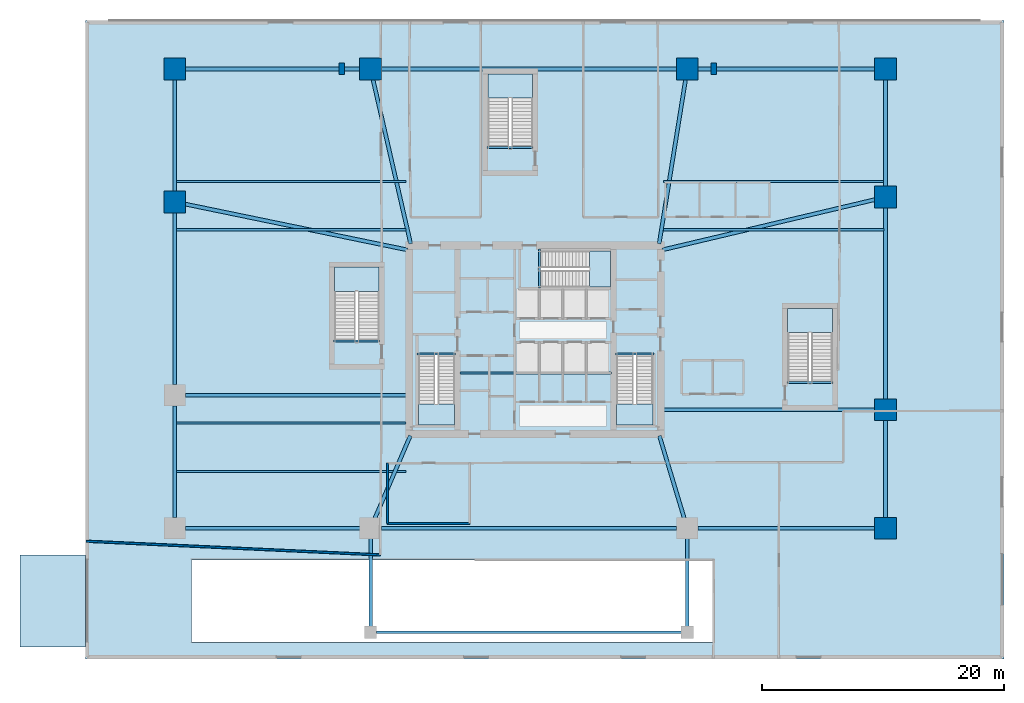
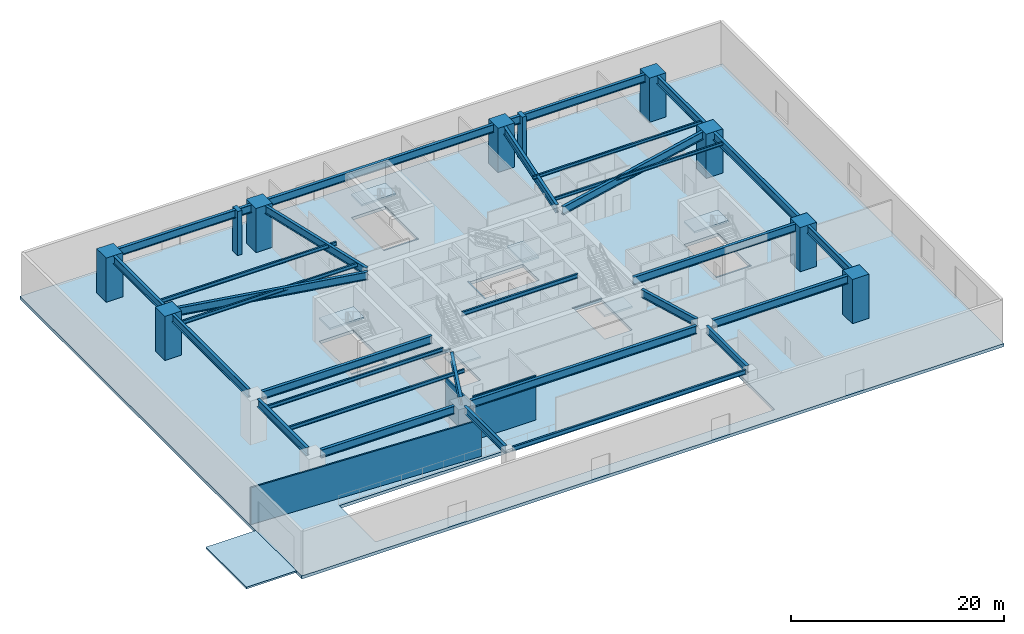
# One storey, part 3 of 13: 36 beams, 10 columns, 8 slabs, 3 walls, 6 elements without a shape of their own.
"""IFC4 building model written with IfcOpenShell, lengths in metres."""

from ifc_helpers import new_model, si_unit, direction, frame, frame_2d, origin, origin_2d, place, context, subcontext, project, spatial, polyline, rectangle, i_section, outline, extrude, material, layer, layer_set, material_profile, profile_set, type_object, element, aggregate, save


model = new_model("IFC4")

# Units and contexts
model_context = context("Model", 3, precision=1e-05, world=origin(), true_north=direction((0.0, 1.0)))
body_context = subcontext(model_context, "Body", "Model", "MODEL_VIEW")
ifc_project = project(units=[si_unit("LENGTHUNIT", "METRE"), si_unit("AREAUNIT", "SQUARE_METRE"), si_unit("VOLUMEUNIT", "CUBIC_METRE"), si_unit("PLANEANGLEUNIT", "RADIAN"), si_unit("MASSUNIT", "GRAM", prefix="KILO")], contexts=[model_context])

# Site, building, storey
site_placement = place(None, origin())
site = spatial("IfcSite", under=ifc_project, at=site_placement, CompositionType="ELEMENT")
building_placement = place(site_placement, origin())
building = spatial("IfcBuilding", under=site, at=building_placement, Name="Qarnah Convention Tower", CompositionType="ELEMENT")
storey_placement = place(building_placement, origin())
storey = spatial("IfcBuildingStorey", under=building, at=storey_placement, Name="L00", CompositionType="ELEMENT", Elevation=0.0)

# Columns
ifc_material_1 = material(Name="Concrete C60/75", Category="concrete")
ifc_material_profile_1 = material_profile(ifc_material_1, rectangle(XDim=1.800048828125, YDim=1.800048828125, at=origin_2d()), Name="RC-COL-1800X1800")
ifc_profile_set_1 = profile_set([ifc_material_profile_1], Name="Concrete C60/75")
column_type_1 = type_object("IfcColumnType", Name="COL-MC1800", PredefinedType="COLUMN", material=ifc_profile_set_1)
for number, where, z_axis, x_axis, name in (
    (1, (66.199951171875, 10.800048828125, 0.0), (0.0, 0.0, 1.0), (1.0, 0.0, 0.0), "L00 plumb column MC-04"),
    (2, (66.199951171875, 20.60009765625, 0.0), (0.0, 0.0, 1.0), (1.0, 0.0, 0.0), "L00 plumb column MC-05"),
    (3, (66.199951171875, 38.199951171875, 0.0), (0.0, 0.0, 1.0), (1.0, 0.0, 0.0), "L00 plumb column MC-06"),
    (4, (66.199951171875, 48.800048828125, 0.0), (0.0, 0.0, 1.0), (1.0, 0.0, 0.0), "L00 plumb column MC-07"),
    (5, (49.800048828125, 48.800048828125, 0.0), (0.0, 0.0, 1.0), (1.0, 0.0, 0.0), "L00 plumb column MC-08"),
    (6, (23.60009765625, 48.800048828125, 0.0), (0.0, 0.0, 1.0), (1.0, 0.0, 0.0), "L00 plumb column MC-09"),
    (7, (7.39990234375, 48.800048828125, 0.0), (0.0, 0.0, 1.0), (1.0, 0.0, 0.0), "L00 plumb column MC-10"),
    (8, (7.39990234375, 37.800048828125, 0.0), (0.0, 0.0, 1.0), (1.0, 0.0, 0.0), "L00 plumb column MC-11"),
):
    element("IfcColumn", number, at=place(storey_placement, frame(where, z_axis=z_axis, x_axis=x_axis)), inside=storey, type_object=column_type_1, Name=name, PredefinedType="COLUMN", context=body_context, shape_type="SweptSolid", body=[
        extrude(rectangle(XDim=1.800048828125, YDim=1.800048828125, at=origin_2d()), origin(), (0.0, 0.0, 1.0), 5.050048828125),
    ])
ifc_material_2 = material(Name="Precast concrete C45/55", Category="concrete")
ifc_material_profile_2 = material_profile(ifc_material_2, rectangle(XDim=0.449951171875, YDim=0.949951171875, at=origin_2d()), Name="PC-RIB-450X950")
ifc_profile_set_2 = profile_set([ifc_material_profile_2], Name="Precast concrete C45/55")
column_type_2 = type_object("IfcColumnType", Name="PIL-POD-450", PredefinedType="PILASTER", material=ifc_profile_set_2)
for number, where, z_axis, x_axis, name in (
    (9, (21.199951171875, 48.800048828125, 0.0), (0.0, 0.0, 1.0), (1.0, 0.0, 0.0), "L00 structural concrete pilaster 1"),
    (10, (52.0, 48.800048828125, 0.0), (0.0, 0.0, 1.0), (1.0, 0.0, 0.0), "L00 structural concrete pilaster 2"),
):
    element("IfcColumn", number, at=place(storey_placement, frame(where, z_axis=z_axis, x_axis=x_axis)), inside=storey, type_object=column_type_2, Name=name, PredefinedType="PILASTER", context=body_context, shape_type="SweptSolid", body=[
        extrude(rectangle(XDim=0.449951171875, YDim=0.949951171875, at=origin_2d()), origin(), (0.0, 0.0, 1.0), 5.050048828125),
    ])

# Beams
ifc_material_3 = material(Name="Structural steel S355JR", Category="steel")
ifc_material_profile_3 = material_profile(ifc_material_3, i_section(OverallWidth=0.19189453125, OverallDepth=0.464111328125, WebThickness=0.010986328125, FlangeThickness=0.01806640625, at=origin_2d()), Name="W460X89")
ifc_profile_set_3 = profile_set([ifc_material_profile_3], Name="Structural steel S355JR")
beam_type_1 = type_object("IfcBeamType", Name="BM-CANT-W460A", PredefinedType="BEAM", material=ifc_profile_set_3)
beam_1_placement = place(storey_placement, frame((30.97998046875, 23.64990234375, 4.818115234375), z_axis=(1.0, 0.0, 0.0), x_axis=(0.0, 1.0, 0.0)))
element("IfcBeam", 11, at=beam_1_placement, inside=storey, type_object=beam_type_1, Name="L00 beam BM-L00-KC1", PredefinedType="BEAM", context=body_context, shape_type="SweptSolid", body=[
    extrude(i_section(OverallWidth=0.19189453125, OverallDepth=0.464111328125, WebThickness=0.010986328125, FlangeThickness=0.01806640625, at=origin_2d()), origin(), (0.0, 0.0, 1.0), 12.5400390625),
])
ifc_material_profile_4 = material_profile(ifc_material_3, i_section(OverallWidth=0.166015625, OverallDepth=0.31201171875, WebThickness=0.007080078125, FlangeThickness=0.010986328125, at=origin_2d()), Name="W310X45")
ifc_profile_set_4 = profile_set([ifc_material_profile_4], Name="Structural steel S355JR")
beam_type_2 = type_object("IfcBeamType", Name="BM-JST-W310", PredefinedType="JOIST", material=ifc_profile_set_4)
for number, where, z_axis, x_axis, name in (
    (12, (27.4599609375, 25.217041015625, -0.156005859375), (1.0, 0.0, 0.0), (0.0, 1.0, 0.0), "L00 stair landing trimmer beam BM-L00-ST1-TRM"),
    (13, (43.860107421875, 25.217041015625, -0.156005859375), (1.0, 0.0, 0.0), (0.0, 1.0, 0.0), "L00 stair landing trimmer beam BM-L00-ST2-TRM"),
):
    element("IfcBeam", number, at=place(storey_placement, frame(where, z_axis=z_axis, x_axis=x_axis)), inside=storey, type_object=beam_type_2, Name=name, PredefinedType="BEAM", context=body_context, shape_type="SweptSolid", body=[
        extrude(i_section(OverallWidth=0.166015625, OverallDepth=0.31201171875, WebThickness=0.007080078125, FlangeThickness=0.010986328125, at=origin_2d()), origin(), (0.0, 0.0, 1.0), 3.179931640625),
    ])
beam_2_placement = place(storey_placement, frame((37.5830078125, 30.659912109375, -0.156005859375), z_axis=(0.0, 1.0, 0.0), x_axis=(-1.0, 0.0, 0.0)))
element("IfcBeam", 14, at=beam_2_placement, inside=storey, type_object=beam_type_2, Name="L00 stair landing trimmer beam BM-L00-ST3-TRM", PredefinedType="BEAM", context=body_context, shape_type="SweptSolid", body=[
    extrude(i_section(OverallWidth=0.166015625, OverallDepth=0.31201171875, WebThickness=0.007080078125, FlangeThickness=0.010986328125, at=origin_2d()), origin(), (0.0, 0.0, 1.0), 3.239990234375),
])
for number, where, z_axis, x_axis, name in (
    (15, (58.050048828125, 22.883056640625, -0.156005859375), (1.0, 0.0, 0.0), (0.0, 1.0, 0.0), "L00 podium stair trimmer beam BM-L00-ST4-TRM"),
    (16, (20.550048828125, 26.282958984375, -0.156005859375), (1.0, 0.0, 0.0), (0.0, 1.0, 0.0), "L00 podium stair trimmer beam BM-L00-ST5-TRM"),
    (17, (33.25, 42.282958984375, -0.156005859375), (1.0, 0.0, 0.0), (0.0, 1.0, 0.0), "L00 podium stair trimmer beam BM-L00-ST6-TRM"),
):
    element("IfcBeam", number, at=place(storey_placement, frame(where, z_axis=z_axis, x_axis=x_axis)), inside=storey, type_object=beam_type_2, Name=name, PredefinedType="BEAM", context=body_context, shape_type="SweptSolid", body=[
        extrude(i_section(OverallWidth=0.166015625, OverallDepth=0.31201171875, WebThickness=0.007080078125, FlangeThickness=0.010986328125, at=origin_2d()), origin(), (0.0, 0.0, 1.0), 3.800048828125),
    ])
ifc_material_profile_5 = material_profile(ifc_material_3, i_section(OverallWidth=0.172119140625, OverallDepth=0.35595703125, WebThickness=0.007080078125, FlangeThickness=0.011962890625, at=origin_2d()), Name="W360X51")
ifc_profile_set_5 = profile_set([ifc_material_profile_5], Name="Structural steel S355JR")
beam_type_3 = type_object("IfcBeamType", Name="BM-JST-W360", PredefinedType="JOIST", material=ifc_profile_set_5)
for number, where, z_axis, x_axis, name in (
    (18, (47.85009765625, 35.5, 4.8720703125), (1.0, 0.0, 0.0), (0.0, 1.0, 0.0), "L00 joist BM-L00-JSTE-03"),
    (19, (47.85009765625, 39.5, 4.8720703125), (1.0, 0.0, 0.0), (0.0, 1.0, 0.0), "L00 joist BM-L00-JSTE-04"),
):
    element("IfcBeam", number, at=place(storey_placement, frame(where, z_axis=z_axis, x_axis=x_axis)), inside=storey, type_object=beam_type_3, Name=name, PredefinedType="JOIST", context=body_context, shape_type="SweptSolid", body=[
        extrude(i_section(OverallWidth=0.172119140625, OverallDepth=0.35595703125, WebThickness=0.007080078125, FlangeThickness=0.011962890625, at=origin_2d()), origin(), (0.0, 0.0, 1.0), 18.2099609375),
    ])
ifc_material_profile_6 = material_profile(ifc_material_3, i_section(OverallWidth=0.177978515625, OverallDepth=0.407958984375, WebThickness=0.008056640625, FlangeThickness=0.012939453125, at=origin_2d()), Name="W410X60")
ifc_profile_set_6 = profile_set([ifc_material_profile_6], Name="Structural steel S355JR")
beam_type_4 = type_object("IfcBeamType", Name="BM-JST-W410", PredefinedType="JOIST", material=ifc_profile_set_6)
for number, where, z_axis, x_axis, name in (
    (20, (7.5400390625, 15.5, 4.845947265625), (1.0, 0.0, 0.0), (0.0, 1.0, 0.0), "L00 joist BM-L00-JSTW-01"),
    (21, (7.5400390625, 19.5, 4.845947265625), (1.0, 0.0, 0.0), (0.0, 1.0, 0.0), "L00 joist BM-L00-JSTW-02"),
    (22, (7.5400390625, 35.5, 4.845947265625), (1.0, 0.0, 0.0), (0.0, 1.0, 0.0), "L00 joist BM-L00-JSTW-03"),
    (23, (7.5400390625, 39.5, 4.845947265625), (1.0, 0.0, 0.0), (0.0, 1.0, 0.0), "L00 joist BM-L00-JSTW-04"),
):
    element("IfcBeam", number, at=place(storey_placement, frame(where, z_axis=z_axis, x_axis=x_axis)), inside=storey, type_object=beam_type_4, Name=name, PredefinedType="JOIST", context=body_context, shape_type="SweptSolid", body=[
        extrude(i_section(OverallWidth=0.177978515625, OverallDepth=0.407958984375, WebThickness=0.008056640625, FlangeThickness=0.012939453125, at=origin_2d()), origin(), (0.0, 0.0, 1.0), 19.010009765625),
    ])
ifc_material_profile_7 = material_profile(ifc_material_3, i_section(OverallWidth=0.2900390625, OverallDepth=0.83203125, WebThickness=0.014892578125, FlangeThickness=0.02001953125, at=origin_2d()), Name="W840X193")
ifc_profile_set_7 = profile_set([ifc_material_profile_7], Name="Structural steel S355JR")
beam_type_5 = type_object("IfcBeamType", Name="BM-POD-W840B", PredefinedType="BEAM", material=ifc_profile_set_7)
for number, where, z_axis, x_axis, name in (
    (24, (23.60009765625, 2.64990234375, 4.634033203125), (0.0, 1.0, 0.0), (-1.0, 0.0, 0.0), "L00 beam BM-L00-TSUP-01"),
    (25, (49.800048828125, 2.64990234375, 4.634033203125), (0.0, 1.0, 0.0), (-1.0, 0.0, 0.0), "L00 beam BM-L00-TSUP-02"),
):
    element("IfcBeam", number, at=place(storey_placement, frame(where, z_axis=z_axis, x_axis=x_axis)), inside=storey, type_object=beam_type_5, Name=name, PredefinedType="BEAM", context=body_context, shape_type="SweptSolid", body=[
        extrude(i_section(OverallWidth=0.2900390625, OverallDepth=0.83203125, WebThickness=0.014892578125, FlangeThickness=0.02001953125, at=origin_2d()), origin(), (0.0, 0.0, 1.0), 7.60009765625),
    ])
ifc_material_profile_8 = material_profile(ifc_material_3, i_section(OverallWidth=0.31005859375, OverallDepth=0.912109375, WebThickness=0.02099609375, FlangeThickness=0.031982421875, at=origin_2d()), Name="W920X342")
ifc_profile_set_8 = profile_set([ifc_material_profile_8], Name="Structural steel S355JR")
beam_type_6 = type_object("IfcBeamType", Name="BM-POD-W920A", PredefinedType="BEAM", material=ifc_profile_set_8)
beam_3_placement = place(storey_placement, frame((8.2900390625, 10.800048828125, 4.593994140625), z_axis=(1.0, 0.0, 0.0), x_axis=(0.0, 1.0, 0.0)))
element("IfcBeam", 26, at=beam_3_placement, inside=storey, type_object=beam_type_6, Name="L00 spandrel BM-L00-PRG-01", PredefinedType="SPANDREL", context=body_context, shape_type="SweptSolid", body=[
    extrude(i_section(OverallWidth=0.31005859375, OverallDepth=0.912109375, WebThickness=0.02099609375, FlangeThickness=0.031982421875, at=origin_2d()), origin(), (0.0, 0.0, 1.0), 14.419921875),
])
beam_4_placement = place(storey_placement, frame((24.489990234375, 10.800048828125, 4.593994140625), z_axis=(1.0, 0.0, 0.0), x_axis=(0.0, 1.0, 0.0)))
element("IfcBeam", 27, at=beam_4_placement, inside=storey, type_object=beam_type_6, Name="L00 spandrel BM-L00-PRG-02", PredefinedType="SPANDREL", context=body_context, shape_type="SweptSolid", body=[
    extrude(i_section(OverallWidth=0.31005859375, OverallDepth=0.912109375, WebThickness=0.02099609375, FlangeThickness=0.031982421875, at=origin_2d()), origin(), (0.0, 0.0, 1.0), 24.419921875),
])
beam_5_placement = place(storey_placement, frame((50.68994140625, 10.800048828125, 4.593994140625), z_axis=(1.0, 0.0, 0.0), x_axis=(0.0, 1.0, 0.0)))
element("IfcBeam", 28, at=beam_5_placement, inside=storey, type_object=beam_type_6, Name="L00 spandrel BM-L00-PRG-03", PredefinedType="SPANDREL", context=body_context, shape_type="SweptSolid", body=[
    extrude(i_section(OverallWidth=0.31005859375, OverallDepth=0.912109375, WebThickness=0.02099609375, FlangeThickness=0.031982421875, at=origin_2d()), origin(), (0.0, 0.0, 1.0), 14.6201171875),
])
beam_6_placement = place(storey_placement, frame((66.199951171875, 11.68994140625, 4.593994140625), z_axis=(0.0, 1.0, 0.0), x_axis=(-1.0, 0.0, 0.0)))
element("IfcBeam", 29, at=beam_6_placement, inside=storey, type_object=beam_type_6, Name="L00 spandrel BM-L00-PRG-04", PredefinedType="SPANDREL", context=body_context, shape_type="SweptSolid", body=[
    extrude(i_section(OverallWidth=0.31005859375, OverallDepth=0.912109375, WebThickness=0.02099609375, FlangeThickness=0.031982421875, at=origin_2d()), origin(), (0.0, 0.0, 1.0), 8.02001953125),
])
beam_7_placement = place(storey_placement, frame((66.199951171875, 21.489990234375, 4.593994140625), z_axis=(0.0, 1.0, 0.0), x_axis=(-1.0, 0.0, 0.0)))
element("IfcBeam", 30, at=beam_7_placement, inside=storey, type_object=beam_type_6, Name="L00 spandrel BM-L00-PRG-05", PredefinedType="SPANDREL", context=body_context, shape_type="SweptSolid", body=[
    extrude(i_section(OverallWidth=0.31005859375, OverallDepth=0.912109375, WebThickness=0.02099609375, FlangeThickness=0.031982421875, at=origin_2d()), origin(), (0.0, 0.0, 1.0), 15.820068359375),
])
beam_8_placement = place(storey_placement, frame((66.199951171875, 39.090087890625, 4.593994140625), z_axis=(0.0, 1.0, 0.0), x_axis=(-1.0, 0.0, 0.0)))
element("IfcBeam", 31, at=beam_8_placement, inside=storey, type_object=beam_type_6, Name="L00 spandrel BM-L00-PRG-06", PredefinedType="SPANDREL", context=body_context, shape_type="SweptSolid", body=[
    extrude(i_section(OverallWidth=0.31005859375, OverallDepth=0.912109375, WebThickness=0.02099609375, FlangeThickness=0.031982421875, at=origin_2d()), origin(), (0.0, 0.0, 1.0), 8.81982421875),
])
beam_9_placement = place(storey_placement, frame((65.31005859375, 48.800048828125, 4.593994140625), z_axis=(-1.0, 0.0, 0.0), x_axis=(0.0, -1.0, 0.0)))
element("IfcBeam", 32, at=beam_9_placement, inside=storey, type_object=beam_type_6, Name="L00 spandrel BM-L00-PRG-07", PredefinedType="SPANDREL", context=body_context, shape_type="SweptSolid", body=[
    extrude(i_section(OverallWidth=0.31005859375, OverallDepth=0.912109375, WebThickness=0.02099609375, FlangeThickness=0.031982421875, at=origin_2d()), origin(), (0.0, 0.0, 1.0), 14.6201171875),
])
beam_10_placement = place(storey_placement, frame((48.909912109375, 48.800048828125, 4.593994140625), z_axis=(-1.0, 0.0, 0.0), x_axis=(0.0, -1.0, 0.0)))
element("IfcBeam", 33, at=beam_10_placement, inside=storey, type_object=beam_type_6, Name="L00 spandrel BM-L00-PRG-08", PredefinedType="SPANDREL", context=body_context, shape_type="SweptSolid", body=[
    extrude(i_section(OverallWidth=0.31005859375, OverallDepth=0.912109375, WebThickness=0.02099609375, FlangeThickness=0.031982421875, at=origin_2d()), origin(), (0.0, 0.0, 1.0), 24.419921875),
])
beam_11_placement = place(storey_placement, frame((22.7099609375, 48.800048828125, 4.593994140625), z_axis=(-1.0, 0.0, 0.0), x_axis=(0.0, -1.0, 0.0)))
element("IfcBeam", 34, at=beam_11_placement, inside=storey, type_object=beam_type_6, Name="L00 spandrel BM-L00-PRG-09", PredefinedType="SPANDREL", context=body_context, shape_type="SweptSolid", body=[
    extrude(i_section(OverallWidth=0.31005859375, OverallDepth=0.912109375, WebThickness=0.02099609375, FlangeThickness=0.031982421875, at=origin_2d()), origin(), (0.0, 0.0, 1.0), 14.419921875),
])
beam_12_placement = place(storey_placement, frame((7.39990234375, 47.909912109375, 4.593994140625), z_axis=(0.0, -1.0, 0.0), x_axis=(1.0, 0.0, 0.0)))
element("IfcBeam", 35, at=beam_12_placement, inside=storey, type_object=beam_type_6, Name="L00 spandrel BM-L00-PRG-10", PredefinedType="SPANDREL", context=body_context, shape_type="SweptSolid", body=[
    extrude(i_section(OverallWidth=0.31005859375, OverallDepth=0.912109375, WebThickness=0.02099609375, FlangeThickness=0.031982421875, at=origin_2d()), origin(), (0.0, 0.0, 1.0), 9.219970703125),
])
beam_13_placement = place(storey_placement, frame((7.39990234375, 36.909912109375, 4.593994140625), z_axis=(0.0, -1.0, 0.0), x_axis=(1.0, 0.0, 0.0)))
element("IfcBeam", 36, at=beam_13_placement, inside=storey, type_object=beam_type_6, Name="L00 spandrel BM-L00-PRG-11", PredefinedType="SPANDREL", context=body_context, shape_type="SweptSolid", body=[
    extrude(i_section(OverallWidth=0.31005859375, OverallDepth=0.912109375, WebThickness=0.02099609375, FlangeThickness=0.031982421875, at=origin_2d()), origin(), (0.0, 0.0, 1.0), 14.219970703125),
])
beam_14_placement = place(storey_placement, frame((7.39990234375, 20.909912109375, 4.593994140625), z_axis=(0.0, -1.0, 0.0), x_axis=(1.0, 0.0, 0.0)))
element("IfcBeam", 37, at=beam_14_placement, inside=storey, type_object=beam_type_6, Name="L00 spandrel BM-L00-PRG-12", PredefinedType="SPANDREL", context=body_context, shape_type="SweptSolid", body=[
    extrude(i_section(OverallWidth=0.31005859375, OverallDepth=0.912109375, WebThickness=0.02099609375, FlangeThickness=0.031982421875, at=origin_2d()), origin(), (0.0, 0.0, 1.0), 9.219970703125),
])
ifc_material_profile_9 = material_profile(ifc_material_3, i_section(OverallWidth=0.303955078125, OverallDepth=0.89990234375, WebThickness=0.01806640625, FlangeThickness=0.02587890625, at=origin_2d()), Name="W920X271")
ifc_profile_set_9 = profile_set([ifc_material_profile_9], Name="Structural steel S355JR")
beam_type_7 = type_object("IfcBeamType", Name="BM-POD-W920B", PredefinedType="BEAM", material=ifc_profile_set_9)
beam_15_placement = place(storey_placement, frame((23.950927734375, 11.617919921875, 4.60009765625), z_axis=(0.394718199588, 0.918802232754, 0.0), x_axis=(-0.918802232754, 0.394718199588, 0.0)))
element("IfcBeam", 38, at=beam_15_placement, inside=storey, type_object=beam_type_7, Name="L00 beam BM-L00-CSP-02", PredefinedType="BEAM", context=body_context, shape_type="SweptSolid", body=[
    extrude(i_section(OverallWidth=0.303955078125, OverallDepth=0.89990234375, WebThickness=0.01806640625, FlangeThickness=0.02587890625, at=origin_2d()), origin(), (0.0, 0.0, 1.0), 7.44873046875),
])
beam_16_placement = place(storey_placement, frame((49.54296875, 11.652099609375, 4.60009765625), z_axis=(-0.28849184782, 0.957482351661, 0.0), x_axis=(-0.957482351661, -0.28849184782, 0.0)))
element("IfcBeam", 39, at=beam_16_placement, inside=storey, type_object=beam_type_7, Name="L00 beam BM-L00-CSP-03", PredefinedType="BEAM", context=body_context, shape_type="SweptSolid", body=[
    extrude(i_section(OverallWidth=0.303955078125, OverallDepth=0.89990234375, WebThickness=0.01806640625, FlangeThickness=0.02587890625, at=origin_2d()), origin(), (0.0, 0.0, 1.0), 7.106201171875),
])
beam_17_placement = place(storey_placement, frame((65.31005859375, 20.60009765625, 4.60009765625), z_axis=(-1.0, 0.0, 0.0), x_axis=(0.0, -1.0, 0.0)))
element("IfcBeam", 40, at=beam_17_placement, inside=storey, type_object=beam_type_7, Name="L00 beam BM-L00-CSP-05", PredefinedType="BEAM", context=body_context, shape_type="SweptSolid", body=[
    extrude(i_section(OverallWidth=0.303955078125, OverallDepth=0.89990234375, WebThickness=0.01806640625, FlangeThickness=0.02587890625, at=origin_2d()), origin(), (0.0, 0.0, 1.0), 17.56005859375),
])
beam_18_placement = place(storey_placement, frame((65.333984375, 37.9951171875, 4.60009765625), z_axis=(-0.973147212786, -0.230183627233, 0.0), x_axis=(0.230183627233, -0.973147212786, 0.0)))
element("IfcBeam", 41, at=beam_18_placement, inside=storey, type_object=beam_type_7, Name="L00 beam BM-L00-CSP-06", PredefinedType="BEAM", context=body_context, shape_type="SweptSolid", body=[
    extrude(i_section(OverallWidth=0.303955078125, OverallDepth=0.89990234375, WebThickness=0.01806640625, FlangeThickness=0.02587890625, at=origin_2d()), origin(), (0.0, 0.0, 1.0), 18.0732421875),
])
beam_19_placement = place(storey_placement, frame((49.658935546875, 47.9208984375, 4.60009765625), z_axis=(-0.158921997099, -0.987291141882, 0.0), x_axis=(0.987291141882, -0.158921997099, 0.0)))
element("IfcBeam", 42, at=beam_19_placement, inside=storey, type_object=beam_type_7, Name="L00 beam BM-L00-CSP-08", PredefinedType="BEAM", context=body_context, shape_type="SweptSolid", body=[
    extrude(i_section(OverallWidth=0.303955078125, OverallDepth=0.89990234375, WebThickness=0.01806640625, FlangeThickness=0.02587890625, at=origin_2d()), origin(), (0.0, 0.0, 1.0), 13.747802734375),
])
beam_20_placement = place(storey_placement, frame((23.799072265625, 47.93310546875, 4.60009765625), z_axis=(0.223595586515, -0.974682006447, 0.0), x_axis=(0.974682006447, 0.223595586515, 0.0)))
element("IfcBeam", 43, at=beam_20_placement, inside=storey, type_object=beam_type_7, Name="L00 beam BM-L00-CSP-09", PredefinedType="BEAM", context=body_context, shape_type="SweptSolid", body=[
    extrude(i_section(OverallWidth=0.303955078125, OverallDepth=0.89990234375, WebThickness=0.01806640625, FlangeThickness=0.02587890625, at=origin_2d()), origin(), (0.0, 0.0, 1.0), 13.940185546875),
])
beam_21_placement = place(storey_placement, frame((8.27197265625, 37.6201171875, 4.60009765625), z_axis=(0.979397074538, -0.201943978338, 0.0), x_axis=(0.201943978338, 0.979397074538, 0.0)))
element("IfcBeam", 44, at=beam_21_placement, inside=storey, type_object=beam_type_7, Name="L00 beam BM-L00-CSP-11", PredefinedType="BEAM", context=body_context, shape_type="SweptSolid", body=[
    extrude(i_section(OverallWidth=0.303955078125, OverallDepth=0.89990234375, WebThickness=0.01806640625, FlangeThickness=0.02587890625, at=origin_2d()), origin(), (0.0, 0.0, 1.0), 18.767822265625),
])
beam_22_placement = place(storey_placement, frame((8.2900390625, 21.800048828125, 4.60009765625), z_axis=(1.0, 0.0, 0.0), x_axis=(0.0, 1.0, 0.0)))
element("IfcBeam", 45, at=beam_22_placement, inside=storey, type_object=beam_type_7, Name="L00 beam BM-L00-CSP-12", PredefinedType="BEAM", context=body_context, shape_type="SweptSolid", body=[
    extrude(i_section(OverallWidth=0.303955078125, OverallDepth=0.89990234375, WebThickness=0.01806640625, FlangeThickness=0.02587890625, at=origin_2d()), origin(), (0.0, 0.0, 1.0), 18.35986328125),
])
ifc_material_profile_10 = material_profile(ifc_material_3, i_section(OverallWidth=0.199951171875, OverallDepth=0.5, WebThickness=0.010009765625, FlangeThickness=0.01611328125, at=origin_2d()), Name="IPE500")
ifc_profile_set_10 = profile_set([ifc_material_profile_10], Name="Structural steel S355JR")
beam_type_8 = type_object("IfcBeamType", Name="BM-SPN-IPE500", PredefinedType="SPANDREL", material=ifc_profile_set_10)
beam_23_placement = place(storey_placement, frame((24.080078125, 2.199951171875, 4.800048828125), z_axis=(1.0, 0.0, 0.0), x_axis=(0.0, 1.0, 0.0)))
element("IfcBeam", 46, at=beam_23_placement, inside=storey, type_object=beam_type_8, Name="L00 spandrel BM-L00-TTIE-01", PredefinedType="SPANDREL", context=body_context, shape_type="SweptSolid", body=[
    extrude(i_section(OverallWidth=0.199951171875, OverallDepth=0.5, WebThickness=0.010009765625, FlangeThickness=0.01611328125, at=origin_2d()), origin(), (0.0, 0.0, 1.0), 25.239990234375),
])

# Stair, slab
ifc_material_4 = material(Name="Concrete C50/60", Category="concrete")
stair_type_1 = type_object("IfcStairType", Name="STR-POD", PredefinedType="HALF_TURN_STAIR", material=ifc_material_4)
stair_1_placement = place(storey_placement, origin())
stair_1 = element("IfcStair", 47, at=stair_1_placement, inside=storey, type_object=stair_type_1, Name="L00 Core exit stair ST-1", PredefinedType="HALF_TURN_STAIR")
ifc_layer_1 = layer(ifc_material_4, 0.199951171875)
ifc_layer_set_1 = layer_set([ifc_layer_1], Name="Concrete C50/60")
slab_type_1 = type_object("IfcSlabType", Name="SLB-LANDING-200", PredefinedType="LANDING", material=ifc_layer_set_1)
slab_1_placement = place(storey_placement, frame((0.0, 0.0, 2.5)))
slab_1 = element("IfcSlab", 48, at=slab_1_placement, type_object=slab_type_1, Name="ST-1 landing 1", PredefinedType="LANDING", context=body_context, shape_type="SweptSolid", body=[
    extrude(outline(polyline([(27.550048828125, 21.10009765625), (27.550048828125, 19.35009765625), (30.550048828125, 19.35009765625), (30.550048828125, 21.10009765625), (27.550048828125, 21.10009765625)])), origin(), (0.0, 0.0, 1.0), 0.199951171875),
])
aggregate(stair_1, [slab_1])

stair_2_placement = place(storey_placement, origin())
stair_2 = element("IfcStair", 49, at=stair_2_placement, inside=storey, type_object=stair_type_1, Name="L00 Core exit stair ST-2", PredefinedType="HALF_TURN_STAIR")
slab_2_placement = place(storey_placement, frame((0.0, 0.0, 2.5)))
slab_2 = element("IfcSlab", 50, at=slab_2_placement, type_object=slab_type_1, Name="ST-2 landing 1", PredefinedType="LANDING", context=body_context, shape_type="SweptSolid", body=[
    extrude(outline(polyline([(43.949951171875, 21.10009765625), (43.949951171875, 19.35009765625), (46.949951171875, 19.35009765625), (46.949951171875, 21.10009765625), (43.949951171875, 21.10009765625)])), origin(), (0.0, 0.0, 1.0), 0.199951171875),
])
aggregate(stair_2, [slab_2])

stair_3_placement = place(storey_placement, origin())
stair_3 = element("IfcStair", 51, at=stair_3_placement, inside=storey, type_object=stair_type_1, Name="L00 Core exit stair ST-3", PredefinedType="HALF_TURN_STAIR")
slab_3_placement = place(storey_placement, frame((0.0, 0.0, 2.5)))
slab_3 = element("IfcSlab", 52, at=slab_3_placement, type_object=slab_type_1, Name="ST-3 landing 1", PredefinedType="LANDING", context=body_context, shape_type="SweptSolid", body=[
    extrude(outline(polyline([(41.699951171875, 30.75), (43.449951171875, 30.75), (43.449951171875, 33.75), (41.699951171875, 33.75), (41.699951171875, 30.75)])), origin(), (0.0, 0.0, 1.0), 0.199951171875),
])
aggregate(stair_3, [slab_3])

stair_type_2 = type_object("IfcStairType", Name="STR-PODW", PredefinedType="HALF_TURN_STAIR", material=ifc_material_4)
stair_4_placement = place(storey_placement, origin())
stair_4 = element("IfcStair", 53, at=stair_4_placement, inside=storey, type_object=stair_type_2, Name="L00 Podium east convention exit stair ST-4", PredefinedType="HALF_TURN_STAIR")
slab_4_placement = place(storey_placement, frame((0.0, 0.0, 2.5)))
slab_4 = element("IfcSlab", 54, at=slab_4_placement, type_object=slab_type_1, Name="ST-4 landing 1", PredefinedType="LANDING", context=body_context, shape_type="SweptSolid", body=[
    extrude(outline(polyline([(61.800048828125, 27.0), (61.800048828125, 29.0), (58.10009765625, 29.0), (58.10009765625, 27.0), (61.800048828125, 27.0)])), origin(), (0.0, 0.0, 1.0), 0.199951171875),
])
aggregate(stair_4, [slab_4])

stair_5_placement = place(storey_placement, origin())
stair_5 = element("IfcStair", 55, at=stair_5_placement, inside=storey, type_object=stair_type_2, Name="L00 Podium west exhibition exit stair ST-5", PredefinedType="HALF_TURN_STAIR")
slab_5_placement = place(storey_placement, frame((0.0, 0.0, 2.5)))
slab_5 = element("IfcSlab", 56, at=slab_5_placement, type_object=slab_type_1, Name="ST-5 landing 1", PredefinedType="LANDING", context=body_context, shape_type="SweptSolid", body=[
    extrude(outline(polyline([(24.300048828125, 30.39990234375), (24.300048828125, 32.39990234375), (20.60009765625, 32.39990234375), (20.60009765625, 30.39990234375), (24.300048828125, 30.39990234375)])), origin(), (0.0, 0.0, 1.0), 0.199951171875),
])
aggregate(stair_5, [slab_5])

stair_6_placement = place(storey_placement, origin())
stair_6 = element("IfcStair", 57, at=stair_6_placement, inside=storey, type_object=stair_type_2, Name="L00 Podium north ballroom exit stair ST-6", PredefinedType="HALF_TURN_STAIR")
slab_6_placement = place(storey_placement, frame((0.0, 0.0, 2.5)))
slab_6 = element("IfcSlab", 58, at=slab_6_placement, type_object=slab_type_1, Name="ST-6 landing 1", PredefinedType="LANDING", context=body_context, shape_type="SweptSolid", body=[
    extrude(outline(polyline([(37.0, 46.39990234375), (37.0, 48.39990234375), (33.300048828125, 48.39990234375), (33.300048828125, 46.39990234375), (37.0, 46.39990234375)])), origin(), (0.0, 0.0, 1.0), 0.199951171875),
])
aggregate(stair_6, [slab_6])

# Slabs
ifc_material_5 = material(Name="Concrete C45/55", Category="concrete")
ifc_layer_2 = layer(ifc_material_5, 0.199951171875)
ifc_layer_set_2 = layer_set([ifc_layer_2], Name="Concrete C45/55")
slab_type_2 = type_object("IfcSlabType", Name="SLB-PAV-200", PredefinedType="USERDEFINED", material=ifc_layer_set_2)
slab_7_placement = place(storey_placement, frame((0.0, 0.0, -0.199951171875)))
element("IfcSlab", 59, at=slab_7_placement, inside=storey, type_object=slab_type_2, Name="Boulevard vehicle ramp driveway apron", ObjectType="PAVING", PredefinedType="USERDEFINED", context=body_context, shape_type="SweptSolid", body=[
    extrude(outline(polyline([(-5.39990234375, 1.0), (0.00390625, 1.0), (0.00390625, 8.60009765625), (-5.39990234375, 8.60009765625), (-5.39990234375, 1.0)])), origin(), (0.0, 0.0, 1.0), 0.199951171875),
])
ifc_layer_3 = layer(ifc_material_4, 0.35009765625)
ifc_layer_set_3 = layer_set([ifc_layer_3], Name="Concrete C50/60")
slab_type_3 = type_object("IfcSlabType", Name="SLB-POD-350", PredefinedType="FLOOR", material=ifc_layer_set_3)
slab_8_placement = place(storey_placement, frame((0.0, 0.0, -0.35009765625)))
element("IfcSlab", 60, at=slab_8_placement, inside=storey, type_object=slab_type_3, Name="L00 structural floor slab", PredefinedType="FLOOR", context=body_context, shape_type="SweptSolid", body=[
    extrude(outline(polyline([(0.0, 0.0), (76.0, 0.0), (76.0, 52.800048828125), (0.0, 52.800048828125), (0.0, 0.0)]), holes=[polyline([(27.550048828125, 25.300048828125), (27.550048828125, 19.35009765625), (30.550048828125, 19.35009765625), (30.550048828125, 25.300048828125), (27.550048828125, 25.300048828125)]), polyline([(43.949951171875, 25.300048828125), (43.949951171875, 19.35009765625), (46.949951171875, 19.35009765625), (46.949951171875, 25.300048828125), (43.949951171875, 25.300048828125)]), polyline([(37.5, 30.75), (43.449951171875, 30.75), (43.449951171875, 33.75), (37.5, 33.75), (37.5, 30.75)]), polyline([(61.800048828125, 22.800048828125), (61.800048828125, 29.0), (58.10009765625, 29.0), (58.10009765625, 22.800048828125), (61.800048828125, 22.800048828125)]), polyline([(24.300048828125, 26.199951171875), (24.300048828125, 32.39990234375), (20.60009765625, 32.39990234375), (20.60009765625, 26.199951171875), (24.300048828125, 26.199951171875)]), polyline([(37.0, 42.199951171875), (37.0, 48.39990234375), (33.300048828125, 48.39990234375), (33.300048828125, 42.199951171875), (37.0, 42.199951171875)]), polyline([(8.800048828125, 1.39990234375), (52.0, 1.39990234375), (52.0, 8.199951171875), (8.800048828125, 8.199951171875), (8.800048828125, 1.39990234375)])]), origin(), (0.0, 0.0, 1.0), 0.35009765625),
])

# Walls
ifc_material_6 = material(Name="Gypsum partition board")
ifc_layer_4 = layer(ifc_material_6, 0.159912109375)
ifc_layer_set_4 = layer_set([ifc_layer_4], Name="Gypsum partition board")
wall_type = type_object("IfcWallType", Name="WL-CORR-160", PredefinedType="PARTITIONING", material=ifc_layer_set_4)
wall_1_placement = place(storey_placement, frame((25.0, 16.199951171875, 0.0), z_axis=(0.0, 0.0, 1.0), x_axis=(0.0, -1.0, 0.0)))
element("IfcWall", 61, at=wall_1_placement, inside=storey, type_object=wall_type, Name="L00 interior wall IW-L00-R-13", PredefinedType="PARTITIONING", context=body_context, shape_type="SweptSolid", body=[
    extrude(rectangle(XDim=5.0, YDim=0.159912109375, at=frame_2d((2.5, 0.0))), origin(), (0.0, 0.0, 1.0), 4.135009765625),
])
wall_2_placement = place(storey_placement, frame((25.0, 11.199951171875, 0.0), z_axis=(0.0, 0.0, 1.0), x_axis=(1.0, 0.0, 0.0)))
element("IfcWall", 62, at=wall_2_placement, inside=storey, type_object=wall_type, Name="L00 interior wall IW-L00-R-14", PredefinedType="PARTITIONING", context=body_context, shape_type="SweptSolid", body=[
    extrude(rectangle(XDim=6.800048828125, YDim=0.159912109375, at=frame_2d((3.39990234375, 0.0))), origin(), (0.0, 0.0, 1.0), 5.050048828125),
])
wall_3_placement = place(storey_placement, frame((0.072998046875, 9.73291015625, 0.0), z_axis=(0.0, 0.0, 1.0), x_axis=(0.998917552656, -0.046515835978, 0.0)))
element("IfcWall", 63, at=wall_3_placement, inside=storey, type_object=wall_type, Name="L00 interior wall IW-L00-R-16", PredefinedType="PARTITIONING", context=body_context, shape_type="SweptSolid", body=[
    extrude(rectangle(XDim=24.353271484375, YDim=0.159912109375, at=frame_2d((12.1767578125, 0.0))), origin(), (0.0, 0.0, 1.0), 4.202880859375),
])

save(model, "model.ifc")
